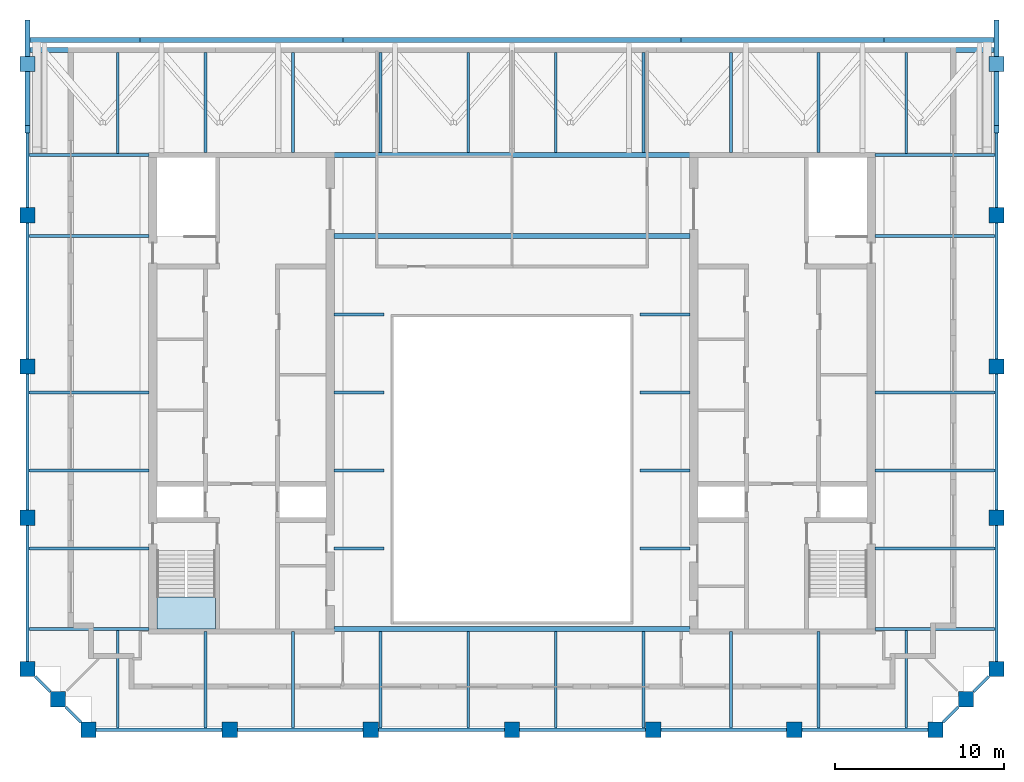
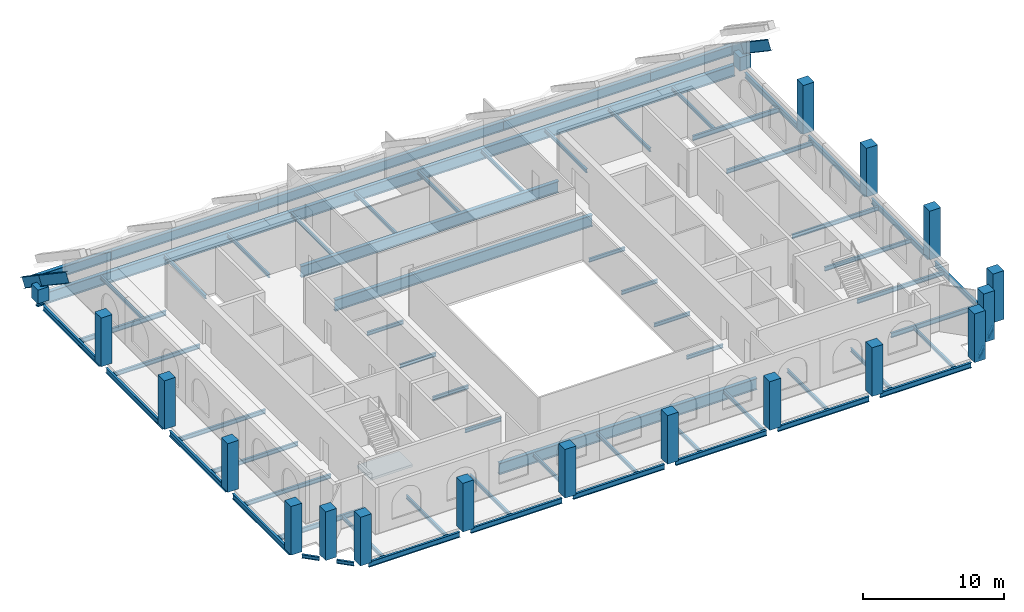
# One storey, part 1 of 7: 71 beams, 19 columns, 1 slab, 1 element without a shape of its own.
"""IFC4 building model written with IfcOpenShell, lengths in metres."""

from ifc_helpers import new_model, si_unit, direction, frame, origin, origin_2d, place, context, subcontext, project, spatial, polyline, rectangle, i_section, outline, extrude, material, layer, layer_set, material_profile, profile_set, type_object, element, aggregate, save


model = new_model("IFC4")

# Units and contexts
model_context = context("Model", 3, precision=1e-05, world=origin(), true_north=direction((0.0, 1.0)))
body_context = subcontext(model_context, "Body", "Model", "MODEL_VIEW")
ifc_project = project(units=[si_unit("LENGTHUNIT", "METRE"), si_unit("AREAUNIT", "SQUARE_METRE"), si_unit("VOLUMEUNIT", "CUBIC_METRE"), si_unit("PLANEANGLEUNIT", "RADIAN"), si_unit("MASSUNIT", "GRAM", prefix="KILO")], contexts=[model_context])

# Site, building, storey
site_placement = place(None, origin())
site = spatial("IfcSite", under=ifc_project, at=site_placement, CompositionType="ELEMENT")
building_placement = place(site_placement, origin())
building = spatial("IfcBuilding", under=site, at=building_placement, Name="Ogive Exchange Tower", CompositionType="ELEMENT")
storey_placement = place(building_placement, frame((0.0, 0.0, 385.800048828125)))
storey = spatial("IfcBuildingStorey", under=building, at=storey_placement, Name="C05", CompositionType="ELEMENT", Elevation=385.800048828125)

# Columns
ifc_material_1 = material(Name="Precast concrete C70/85 (limestone faced)", Category="masonry")
ifc_material_profile_1 = material_profile(ifc_material_1, rectangle(XDim=0.89990234375, YDim=0.89990234375, at=origin_2d()), Name="900 x 900")
ifc_profile_set_1 = profile_set([ifc_material_profile_1], Name="Precast concrete C70/85 (limestone faced)")
column_type = type_object("IfcColumnType", Name="Precast exoskeleton leg 900 x 900 C70/85", PredefinedType="COLUMN", material=ifc_profile_set_1)
for number, where, z_axis, x_axis, name in (
    (1, (-25.050048828125, -8.39990234375, 0.0), (0.0, 0.0, 1.0), (1.0, 0.0, 0.0), "Crown leg 1"),
    (2, (-16.699951171875, -8.39990234375, 0.0), (0.0, 0.0, 1.0), (1.0, 0.0, 0.0), "Crown leg 2"),
    (3, (-8.35009765625, -8.39990234375, 0.0), (0.0, 0.0, 1.0), (1.0, 0.0, 0.0), "Crown leg 3"),
    (4, (0.0, -8.39990234375, 0.0), (0.0, 0.0, 1.0), (1.0, 0.0, 0.0), "Crown leg 4"),
    (5, (8.35009765625, -8.39990234375, 0.0), (0.0, 0.0, 1.0), (1.0, 0.0, 0.0), "Crown leg 5"),
    (6, (16.699951171875, -8.39990234375, 0.0), (0.0, 0.0, 1.0), (1.0, 0.0, 0.0), "Crown leg 6"),
    (7, (25.050048828125, -8.39990234375, 0.0), (0.0, 0.0, 1.0), (1.0, 0.0, 0.0), "Crown leg 7"),
    (8, (28.64990234375, -4.800048828125, 0.0), (0.0, 0.0, 1.0), (1.0, 0.0, 0.0), "Crown leg 8"),
    (9, (28.64990234375, 4.142822265625, 0.0), (0.0, 0.0, 1.0), (1.0, 0.0, 0.0), "Crown leg 9"),
    (10, (28.64990234375, 13.085693359375, 0.0), (0.0, 0.0, 1.0), (1.0, 0.0, 0.0), "Crown leg 10"),
    (11, (28.64990234375, 22.028564453125, 0.0), (0.0, 0.0, 1.0), (1.0, 0.0, 0.0), "Crown leg 11"),
):
    element("IfcColumn", number, at=place(storey_placement, frame(where, z_axis=z_axis, x_axis=x_axis)), inside=storey, type_object=column_type, Name=name, PredefinedType="COLUMN", context=body_context, shape_type="SweptSolid", body=[
        extrude(rectangle(XDim=0.89990234375, YDim=0.89990234375, at=origin_2d()), origin(), (0.0, 0.0, 1.0), 4.199951171875),
    ])
for number, where, z_axis, x_axis, name in (
    (12, (28.64990234375, 30.971435546875, 0.0), (0.0, 0.0, 1.0), (1.0, 0.0, 0.0), "Crown leg 12"),
    (13, (-28.64990234375, 30.971435546875, 0.0), (0.0, 0.0, 1.0), (1.0, 0.0, 0.0), "Crown leg 26"),
):
    element("IfcColumn", number, at=place(storey_placement, frame(where, z_axis=z_axis, x_axis=x_axis)), inside=storey, type_object=column_type, Name=name, PredefinedType="COLUMN", context=body_context, shape_type="SweptSolid", body=[
        extrude(rectangle(XDim=0.89990234375, YDim=0.89990234375, at=origin_2d()), origin(), (0.0, 0.0, 1.0), 1.182861328125),
    ])
for number, where, z_axis, x_axis, name in (
    (14, (-28.64990234375, 22.028564453125, 0.0), (0.0, 0.0, 1.0), (1.0, 0.0, 0.0), "Crown leg 27"),
    (15, (-28.64990234375, 13.085693359375, 0.0), (0.0, 0.0, 1.0), (1.0, 0.0, 0.0), "Crown leg 28"),
    (16, (-28.64990234375, 4.142822265625, 0.0), (0.0, 0.0, 1.0), (1.0, 0.0, 0.0), "Crown leg 29"),
    (17, (-28.64990234375, -4.800048828125, 0.0), (0.0, 0.0, 1.0), (1.0, 0.0, 0.0), "Crown leg 30"),
    (18, (26.85009765625, -6.60009765625, 0.0), (0.0, 0.0, 1.0), (1.0, 0.0, 0.0), "Crown leg 31"),
    (19, (-26.85009765625, -6.60009765625, 0.0), (0.0, 0.0, 1.0), (1.0, 0.0, 0.0), "Crown leg 34"),
):
    element("IfcColumn", number, at=place(storey_placement, frame(where, z_axis=z_axis, x_axis=x_axis)), inside=storey, type_object=column_type, Name=name, PredefinedType="COLUMN", context=body_context, shape_type="SweptSolid", body=[
        extrude(rectangle(XDim=0.89990234375, YDim=0.89990234375, at=origin_2d()), origin(), (0.0, 0.0, 1.0), 4.199951171875),
    ])

# Beams
ifc_material_2 = material(Name="Steel ASTM A992 Gr50", Category="steel")
ifc_material_profile_2 = material_profile(ifc_material_2, i_section(OverallWidth=0.2919921875, OverallDepth=0.8359375, WebThickness=0.013916015625, FlangeThickness=0.018798828125, at=origin_2d()), Name="W840x176")
ifc_profile_set_2 = profile_set([ifc_material_profile_2], Name="Steel ASTM A992 Gr50")
beam_type_1 = type_object("IfcBeamType", Name="Crown purlin W840x176", PredefinedType="BEAM", material=ifc_profile_set_2)
beam_1_placement = place(storey_placement, frame((-28.64990234375, 32.39990234375, 0.636962890625), z_axis=(1.0, 0.0, 0.0), x_axis=(0.0, 1.0, 0.0)))
element("IfcBeam", 20, at=beam_1_placement, inside=storey, type_object=beam_type_1, Name="Crown purlin", PredefinedType="BEAM", context=body_context, shape_type="SweptSolid", body=[
    extrude(i_section(OverallWidth=0.2919921875, OverallDepth=0.8359375, WebThickness=0.013916015625, FlangeThickness=0.018798828125, at=origin_2d()), origin(), (0.0, 0.0, 1.0), 6.64990234375),
])
beam_2_placement = place(storey_placement, frame((-22.0, 32.39990234375, 0.636962890625), z_axis=(1.0, 0.0, 0.0), x_axis=(0.0, 1.0, 0.0)))
element("IfcBeam", 21, at=beam_2_placement, inside=storey, type_object=beam_type_1, Name="Crown purlin", PredefinedType="BEAM", context=body_context, shape_type="SweptSolid", body=[
    extrude(i_section(OverallWidth=0.2919921875, OverallDepth=0.8359375, WebThickness=0.013916015625, FlangeThickness=0.018798828125, at=origin_2d()), origin(), (0.0, 0.0, 1.0), 12.0),
])
beam_3_placement = place(storey_placement, frame((-10.0, 32.39990234375, 0.636962890625), z_axis=(1.0, 0.0, 0.0), x_axis=(0.0, 1.0, 0.0)))
element("IfcBeam", 22, at=beam_3_placement, inside=storey, type_object=beam_type_1, Name="Crown purlin", PredefinedType="BEAM", context=body_context, shape_type="SweptSolid", body=[
    extrude(i_section(OverallWidth=0.2919921875, OverallDepth=0.8359375, WebThickness=0.013916015625, FlangeThickness=0.018798828125, at=origin_2d()), origin(), (0.0, 0.0, 1.0), 20.0),
])
beam_4_placement = place(storey_placement, frame((10.0, 32.39990234375, 0.636962890625), z_axis=(1.0, 0.0, 0.0), x_axis=(0.0, 1.0, 0.0)))
element("IfcBeam", 23, at=beam_4_placement, inside=storey, type_object=beam_type_1, Name="Crown purlin", PredefinedType="BEAM", context=body_context, shape_type="SweptSolid", body=[
    extrude(i_section(OverallWidth=0.2919921875, OverallDepth=0.8359375, WebThickness=0.013916015625, FlangeThickness=0.018798828125, at=origin_2d()), origin(), (0.0, 0.0, 1.0), 12.0),
])
beam_5_placement = place(storey_placement, frame((22.0, 32.39990234375, 0.636962890625), z_axis=(1.0, 0.0, 0.0), x_axis=(0.0, 1.0, 0.0)))
element("IfcBeam", 24, at=beam_5_placement, inside=storey, type_object=beam_type_1, Name="Crown purlin", PredefinedType="BEAM", context=body_context, shape_type="SweptSolid", body=[
    extrude(i_section(OverallWidth=0.2919921875, OverallDepth=0.8359375, WebThickness=0.013916015625, FlangeThickness=0.018798828125, at=origin_2d()), origin(), (0.0, 0.0, 1.0), 6.64990234375),
])
ifc_material_profile_3 = material_profile(ifc_material_2, i_section(OverallWidth=0.2919921875, OverallDepth=0.8359375, WebThickness=0.013916015625, FlangeThickness=0.018798828125, at=origin_2d()), Name="W840x176")
ifc_profile_set_3 = profile_set([ifc_material_profile_3], Name="Steel ASTM A992 Gr50")
beam_type_2 = type_object("IfcBeamType", Name="Crown raking ring beam W840x176", PredefinedType="BEAM", material=ifc_profile_set_3)
beam_6_placement = place(storey_placement, frame((28.64990234375, 27.1181640625, 4.199951171875), z_axis=(0.0, 0.829031921155, -0.559201281925), x_axis=(-1.0, 0.0, 0.0)))
element("IfcBeam", 25, at=beam_6_placement, inside=storey, type_object=beam_type_2, Name="Crown ring beam 12", PredefinedType="BEAM", context=body_context, shape_type="SweptSolid", body=[
    extrude(i_section(OverallWidth=0.2919921875, OverallDepth=0.8359375, WebThickness=0.013916015625, FlangeThickness=0.018798828125, at=origin_2d()), origin(), (0.0, 0.0, 1.0), 4.64794921875),
])
for number, where, z_axis, x_axis, name in (
    (26, (28.64990234375, 30.971435546875, 1.600830078125), (0.0, 0.829060177216, -0.559159389221), (-1.0, 0.0, 0.0), "Crown ring beam 13"),
    (27, (-28.64990234375, 33.344970703125, 0.0), (0.0, -0.829060177216, 0.559159389221), (1.0, 0.0, 0.0), "Crown ring beam 28"),
):
    element("IfcBeam", number, at=place(storey_placement, frame(where, z_axis=z_axis, x_axis=x_axis)), inside=storey, type_object=beam_type_2, Name=name, PredefinedType="BEAM", context=body_context, shape_type="SweptSolid", body=[
        extrude(i_section(OverallWidth=0.2919921875, OverallDepth=0.8359375, WebThickness=0.013916015625, FlangeThickness=0.018798828125, at=origin_2d()), origin(), (0.0, 0.0, 1.0), 2.863037109375),
    ])
beam_7_placement = place(storey_placement, frame((-28.64990234375, 30.971435546875, 1.600830078125), z_axis=(0.0, -0.829031921155, 0.559201281925), x_axis=(1.0, 0.0, 0.0)))
element("IfcBeam", 28, at=beam_7_placement, inside=storey, type_object=beam_type_2, Name="Crown ring beam 29", PredefinedType="BEAM", context=body_context, shape_type="SweptSolid", body=[
    extrude(i_section(OverallWidth=0.2919921875, OverallDepth=0.8359375, WebThickness=0.013916015625, FlangeThickness=0.018798828125, at=origin_2d()), origin(), (0.0, 0.0, 1.0), 4.64794921875),
])
ifc_material_profile_4 = material_profile(ifc_material_2, i_section(OverallWidth=0.300048828125, OverallDepth=0.97998046875, WebThickness=0.0166015625, FlangeThickness=0.026123046875, at=origin_2d()), Name="W1000x249")
ifc_profile_set_4 = profile_set([ifc_material_profile_4], Name="Steel ASTM A992 Gr50")
beam_type_3 = type_object("IfcBeamType", Name="Floor beam W1000x249", PredefinedType="JOIST", material=ifc_profile_set_4)
beam_8_placement = place(storey_placement, frame((-10.52001953125, 20.797607421875, -0.68994140625), z_axis=(1.0, 0.0, 0.0), x_axis=(0.0, 1.0, 0.0)))
element("IfcBeam", 29, at=beam_8_placement, inside=storey, type_object=beam_type_3, Name="Floor beam", PredefinedType="JOIST", context=body_context, shape_type="SweptSolid", body=[
    extrude(i_section(OverallWidth=0.300048828125, OverallDepth=0.97998046875, WebThickness=0.0166015625, FlangeThickness=0.026123046875, at=origin_2d()), origin(), (0.0, 0.0, 1.0), 21.0400390625),
])
ifc_material_profile_5 = material_profile(ifc_material_2, i_section(OverallWidth=0.1650390625, OverallDepth=0.31005859375, WebThickness=0.005859375, FlangeThickness=0.009765625, at=origin_2d()), Name="W310x38.7")
ifc_profile_set_5 = profile_set([ifc_material_profile_5], Name="Steel ASTM A992 Gr50")
beam_type_4 = type_object("IfcBeamType", Name="Floor beam W310x38.7", PredefinedType="JOIST", material=ifc_profile_set_5)
for number, where, z_axis, x_axis, name in (
    (30, (-10.52001953125, 2.3212890625, -0.35498046875), (1.0, 0.0, 0.0), (0.0, 1.0, 0.0), "Floor beam"),
    (31, (7.570068359375, 2.3212890625, -0.35498046875), (1.0, 0.0, 0.0), (0.0, 1.0, 0.0), "Floor beam"),
    (32, (-10.52001953125, 6.9326171875, -0.35498046875), (1.0, 0.0, 0.0), (0.0, 1.0, 0.0), "Floor beam"),
    (33, (7.570068359375, 6.9326171875, -0.35498046875), (1.0, 0.0, 0.0), (0.0, 1.0, 0.0), "Floor beam"),
    (34, (-10.52001953125, 11.543701171875, -0.35498046875), (1.0, 0.0, 0.0), (0.0, 1.0, 0.0), "Floor beam"),
    (35, (7.570068359375, 11.543701171875, -0.35498046875), (1.0, 0.0, 0.0), (0.0, 1.0, 0.0), "Floor beam"),
):
    element("IfcBeam", number, at=place(storey_placement, frame(where, z_axis=z_axis, x_axis=x_axis)), inside=storey, type_object=beam_type_4, Name=name, PredefinedType="JOIST", context=body_context, shape_type="SweptSolid", body=[
        extrude(i_section(OverallWidth=0.1650390625, OverallDepth=0.31005859375, WebThickness=0.005859375, FlangeThickness=0.009765625, at=origin_2d()), origin(), (0.0, 0.0, 1.0), 2.949951171875),
    ])
beam_9_placement = place(storey_placement, frame((-23.314208984375, -8.304443359375, -0.35498046875), z_axis=(0.0, 1.0, 0.0), x_axis=(-1.0, 0.0, 0.0)))
element("IfcBeam", 36, at=beam_9_placement, inside=storey, type_object=beam_type_4, Name="Floor beam", PredefinedType="JOIST", context=body_context, shape_type="SweptSolid", body=[
    extrude(i_section(OverallWidth=0.1650390625, OverallDepth=0.31005859375, WebThickness=0.005859375, FlangeThickness=0.009765625, at=origin_2d()), origin(), (0.0, 0.0, 1.0), 5.7705078125),
])
for number, where, z_axis, x_axis, name in (
    (37, (-18.13330078125, -8.304443359375, -0.35498046875), (0.0, 1.0, 0.0), (-1.0, 0.0, 0.0), "Floor beam"),
    (38, (-12.952392578125, -8.304443359375, -0.35498046875), (0.0, 1.0, 0.0), (-1.0, 0.0, 0.0), "Floor beam"),
):
    element("IfcBeam", number, at=place(storey_placement, frame(where, z_axis=z_axis, x_axis=x_axis)), inside=storey, type_object=beam_type_4, Name=name, PredefinedType="JOIST", context=body_context, shape_type="SweptSolid", body=[
        extrude(i_section(OverallWidth=0.1650390625, OverallDepth=0.31005859375, WebThickness=0.005859375, FlangeThickness=0.009765625, at=origin_2d()), origin(), (0.0, 0.0, 1.0), 5.704345703125),
    ])
for number, where, z_axis, x_axis, name in (
    (39, (-7.771484375, -8.304443359375, -0.35498046875), (0.0, 1.0, 0.0), (-1.0, 0.0, 0.0), "Floor beam"),
    (40, (-2.590576171875, -8.304443359375, -0.35498046875), (0.0, 1.0, 0.0), (-1.0, 0.0, 0.0), "Floor beam"),
    (41, (2.590576171875, -8.304443359375, -0.35498046875), (0.0, 1.0, 0.0), (-1.0, 0.0, 0.0), "Floor beam"),
    (42, (7.771484375, -8.304443359375, -0.35498046875), (0.0, 1.0, 0.0), (-1.0, 0.0, 0.0), "Floor beam"),
):
    element("IfcBeam", number, at=place(storey_placement, frame(where, z_axis=z_axis, x_axis=x_axis)), inside=storey, type_object=beam_type_4, Name=name, PredefinedType="JOIST", context=body_context, shape_type="SweptSolid", body=[
        extrude(i_section(OverallWidth=0.1650390625, OverallDepth=0.31005859375, WebThickness=0.005859375, FlangeThickness=0.009765625, at=origin_2d()), origin(), (0.0, 0.0, 1.0), 5.70947265625),
    ])
for number, where, z_axis, x_axis, name in (
    (43, (12.952392578125, -8.304443359375, -0.35498046875), (0.0, 1.0, 0.0), (-1.0, 0.0, 0.0), "Floor beam"),
    (44, (18.13330078125, -8.304443359375, -0.35498046875), (0.0, 1.0, 0.0), (-1.0, 0.0, 0.0), "Floor beam"),
):
    element("IfcBeam", number, at=place(storey_placement, frame(where, z_axis=z_axis, x_axis=x_axis)), inside=storey, type_object=beam_type_4, Name=name, PredefinedType="JOIST", context=body_context, shape_type="SweptSolid", body=[
        extrude(i_section(OverallWidth=0.1650390625, OverallDepth=0.31005859375, WebThickness=0.005859375, FlangeThickness=0.009765625, at=origin_2d()), origin(), (0.0, 0.0, 1.0), 5.704345703125),
    ])
beam_10_placement = place(storey_placement, frame((23.314208984375, -8.304443359375, -0.35498046875), z_axis=(0.0, 1.0, 0.0), x_axis=(-1.0, 0.0, 0.0)))
element("IfcBeam", 45, at=beam_10_placement, inside=storey, type_object=beam_type_4, Name="Floor beam", PredefinedType="JOIST", context=body_context, shape_type="SweptSolid", body=[
    extrude(i_section(OverallWidth=0.1650390625, OverallDepth=0.31005859375, WebThickness=0.005859375, FlangeThickness=0.009765625, at=origin_2d()), origin(), (0.0, 0.0, 1.0), 5.7705078125),
])
beam_11_placement = place(storey_placement, frame((-23.314208984375, 25.68408203125, -0.35498046875), z_axis=(0.0, 1.0, 0.0), x_axis=(-1.0, 0.0, 0.0)))
element("IfcBeam", 46, at=beam_11_placement, inside=storey, type_object=beam_type_4, Name="Floor beam", PredefinedType="JOIST", context=body_context, shape_type="SweptSolid", body=[
    extrude(i_section(OverallWidth=0.1650390625, OverallDepth=0.31005859375, WebThickness=0.005859375, FlangeThickness=0.009765625, at=origin_2d()), origin(), (0.0, 0.0, 1.0), 5.95849609375),
])
for number, where, z_axis, x_axis, name in (
    (47, (-18.13330078125, 25.75, -0.35498046875), (0.0, 1.0, 0.0), (-1.0, 0.0, 0.0), "Floor beam"),
    (48, (-12.952392578125, 25.75, -0.35498046875), (0.0, 1.0, 0.0), (-1.0, 0.0, 0.0), "Floor beam"),
):
    element("IfcBeam", number, at=place(storey_placement, frame(where, z_axis=z_axis, x_axis=x_axis)), inside=storey, type_object=beam_type_4, Name=name, PredefinedType="JOIST", context=body_context, shape_type="SweptSolid", body=[
        extrude(i_section(OverallWidth=0.1650390625, OverallDepth=0.31005859375, WebThickness=0.005859375, FlangeThickness=0.009765625, at=origin_2d()), origin(), (0.0, 0.0, 1.0), 5.892578125),
    ])
for number, where, z_axis, x_axis, name in (
    (49, (-7.771484375, 25.7451171875, -0.35498046875), (0.0, 1.0, 0.0), (-1.0, 0.0, 0.0), "Floor beam"),
    (50, (-2.590576171875, 25.7451171875, -0.35498046875), (0.0, 1.0, 0.0), (-1.0, 0.0, 0.0), "Floor beam"),
    (51, (2.590576171875, 25.7451171875, -0.35498046875), (0.0, 1.0, 0.0), (-1.0, 0.0, 0.0), "Floor beam"),
    (52, (7.771484375, 25.7451171875, -0.35498046875), (0.0, 1.0, 0.0), (-1.0, 0.0, 0.0), "Floor beam"),
):
    element("IfcBeam", number, at=place(storey_placement, frame(where, z_axis=z_axis, x_axis=x_axis)), inside=storey, type_object=beam_type_4, Name=name, PredefinedType="JOIST", context=body_context, shape_type="SweptSolid", body=[
        extrude(i_section(OverallWidth=0.1650390625, OverallDepth=0.31005859375, WebThickness=0.005859375, FlangeThickness=0.009765625, at=origin_2d()), origin(), (0.0, 0.0, 1.0), 5.8974609375),
    ])
for number, where, z_axis, x_axis, name in (
    (53, (12.952392578125, 25.75, -0.35498046875), (0.0, 1.0, 0.0), (-1.0, 0.0, 0.0), "Floor beam"),
    (54, (18.13330078125, 25.75, -0.35498046875), (0.0, 1.0, 0.0), (-1.0, 0.0, 0.0), "Floor beam"),
):
    element("IfcBeam", number, at=place(storey_placement, frame(where, z_axis=z_axis, x_axis=x_axis)), inside=storey, type_object=beam_type_4, Name=name, PredefinedType="JOIST", context=body_context, shape_type="SweptSolid", body=[
        extrude(i_section(OverallWidth=0.1650390625, OverallDepth=0.31005859375, WebThickness=0.005859375, FlangeThickness=0.009765625, at=origin_2d()), origin(), (0.0, 0.0, 1.0), 5.892578125),
    ])
beam_12_placement = place(storey_placement, frame((23.314208984375, 25.68408203125, -0.35498046875), z_axis=(0.0, 1.0, 0.0), x_axis=(-1.0, 0.0, 0.0)))
element("IfcBeam", 55, at=beam_12_placement, inside=storey, type_object=beam_type_4, Name="Floor beam", PredefinedType="JOIST", context=body_context, shape_type="SweptSolid", body=[
    extrude(i_section(OverallWidth=0.1650390625, OverallDepth=0.31005859375, WebThickness=0.005859375, FlangeThickness=0.009765625, at=origin_2d()), origin(), (0.0, 0.0, 1.0), 5.95849609375),
])
ifc_material_profile_6 = material_profile(ifc_material_2, i_section(OverallWidth=0.1708984375, OverallDepth=0.35595703125, WebThickness=0.00732421875, FlangeThickness=0.01171875, at=origin_2d()), Name="W360x51")
ifc_profile_set_6 = profile_set([ifc_material_profile_6], Name="Steel ASTM A992 Gr50")
beam_type_5 = type_object("IfcBeamType", Name="Floor beam W360x51", PredefinedType="JOIST", material=ifc_profile_set_6)
for number, where, z_axis, x_axis, name in (
    (56, (-28.554443359375, 2.3212890625, -0.3779296875), (1.0, 0.0, 0.0), (0.0, 1.0, 0.0), "Floor beam"),
    (57, (21.47998046875, 2.3212890625, -0.3779296875), (1.0, 0.0, 0.0), (0.0, 1.0, 0.0), "Floor beam"),
    (58, (-28.554443359375, 6.9326171875, -0.3779296875), (1.0, 0.0, 0.0), (0.0, 1.0, 0.0), "Floor beam"),
    (59, (21.47998046875, 6.9326171875, -0.3779296875), (1.0, 0.0, 0.0), (0.0, 1.0, 0.0), "Floor beam"),
    (60, (-28.554443359375, 11.543701171875, -0.3779296875), (1.0, 0.0, 0.0), (0.0, 1.0, 0.0), "Floor beam"),
    (61, (21.47998046875, 11.543701171875, -0.3779296875), (1.0, 0.0, 0.0), (0.0, 1.0, 0.0), "Floor beam"),
    (62, (-28.554443359375, 20.797607421875, -0.3779296875), (1.0, 0.0, 0.0), (0.0, 1.0, 0.0), "Floor beam"),
    (63, (21.47998046875, 20.797607421875, -0.3779296875), (1.0, 0.0, 0.0), (0.0, 1.0, 0.0), "Floor beam"),
):
    element("IfcBeam", number, at=place(storey_placement, frame(where, z_axis=z_axis, x_axis=x_axis)), inside=storey, type_object=beam_type_5, Name=name, PredefinedType="JOIST", context=body_context, shape_type="SweptSolid", body=[
        extrude(i_section(OverallWidth=0.1708984375, OverallDepth=0.35595703125, WebThickness=0.00732421875, FlangeThickness=0.01171875, at=origin_2d()), origin(), (0.0, 0.0, 1.0), 7.074462890625),
    ])
ifc_material_profile_7 = material_profile(ifc_material_2, i_section(OverallWidth=0.300048828125, OverallDepth=0.97998046875, WebThickness=0.0166015625, FlangeThickness=0.026123046875, at=origin_2d()), Name="W1000x249")
ifc_profile_set_7 = profile_set([ifc_material_profile_7], Name="Steel ASTM A992 Gr50")
beam_type_6 = type_object("IfcBeamType", Name="Girder W1000x249", PredefinedType="BEAM", material=ifc_profile_set_7)
beam_13_placement = place(storey_placement, frame((-28.4951171875, 31.79248046875, -0.68994140625), z_axis=(1.0, 0.0, 0.0), x_axis=(0.0, 1.0, 0.0)))
element("IfcBeam", 64, at=beam_13_placement, inside=storey, type_object=beam_type_6, Name="Trimmer girder", PredefinedType="BEAM", context=body_context, shape_type="SweptSolid", body=[
    extrude(i_section(OverallWidth=0.300048828125, OverallDepth=0.97998046875, WebThickness=0.0166015625, FlangeThickness=0.026123046875, at=origin_2d()), origin(), (0.0, 0.0, 1.0), 56.990234375),
])
for number, where, z_axis, x_axis, name in (
    (65, (-10.52001953125, -2.445068359375, -0.68994140625), (1.0, 0.0, 0.0), (0.0, 1.0, 0.0), "Header girder"),
    (66, (-10.52001953125, 25.594970703125, -0.68994140625), (1.0, 0.0, 0.0), (0.0, 1.0, 0.0), "Header girder"),
):
    element("IfcBeam", number, at=place(storey_placement, frame(where, z_axis=z_axis, x_axis=x_axis)), inside=storey, type_object=beam_type_6, Name=name, PredefinedType="BEAM", context=body_context, shape_type="SweptSolid", body=[
        extrude(i_section(OverallWidth=0.300048828125, OverallDepth=0.97998046875, WebThickness=0.0166015625, FlangeThickness=0.026123046875, at=origin_2d()), origin(), (0.0, 0.0, 1.0), 21.0400390625),
    ])
ifc_material_profile_8 = material_profile(ifc_material_2, i_section(OverallWidth=0.1650390625, OverallDepth=0.31005859375, WebThickness=0.005859375, FlangeThickness=0.009765625, at=origin_2d()), Name="W310x38.7")
ifc_profile_set_8 = profile_set([ifc_material_profile_8], Name="Steel ASTM A992 Gr50")
beam_type_7 = type_object("IfcBeamType", Name="Girder W310x38.7", PredefinedType="BEAM", material=ifc_profile_set_8)
for number, where, z_axis, x_axis, name in (
    (67, (-28.199951171875, -5.25, -0.35498046875), (0.707106781187, -0.707106781187, 0.0), (0.707106781187, 0.707106781187, 0.0), "Girder"),
    (68, (-26.39990234375, -7.050048828125, -0.35498046875), (0.707106781187, -0.707106781187, 0.0), (0.707106781187, 0.707106781187, 0.0), "Girder"),
    (69, (25.5, -7.949951171875, -0.35498046875), (0.707106781187, 0.707106781187, 0.0), (-0.707106781187, 0.707106781187, 0.0), "Girder"),
    (70, (27.300048828125, -6.14990234375, -0.35498046875), (0.707106781187, 0.707106781187, 0.0), (-0.707106781187, 0.707106781187, 0.0), "Girder"),
):
    element("IfcBeam", number, at=place(storey_placement, frame(where, z_axis=z_axis, x_axis=x_axis)), inside=storey, type_object=beam_type_7, Name=name, PredefinedType="BEAM", context=body_context, shape_type="SweptSolid", body=[
        extrude(i_section(OverallWidth=0.1650390625, OverallDepth=0.31005859375, WebThickness=0.005859375, FlangeThickness=0.009765625, at=origin_2d()), origin(), (0.0, 0.0, 1.0), 1.272705078125),
    ])
for number, where, z_axis, x_axis, name in (
    (71, (-10.52001953125, 16.155029296875, -0.35498046875), (1.0, 0.0, 0.0), (0.0, 1.0, 0.0), "Trimmer girder"),
    (72, (7.570068359375, 16.155029296875, -0.35498046875), (1.0, 0.0, 0.0), (0.0, 1.0, 0.0), "Trimmer girder"),
):
    element("IfcBeam", number, at=place(storey_placement, frame(where, z_axis=z_axis, x_axis=x_axis)), inside=storey, type_object=beam_type_7, Name=name, PredefinedType="BEAM", context=body_context, shape_type="SweptSolid", body=[
        extrude(i_section(OverallWidth=0.1650390625, OverallDepth=0.31005859375, WebThickness=0.005859375, FlangeThickness=0.009765625, at=origin_2d()), origin(), (0.0, 0.0, 1.0), 2.949951171875),
    ])
ifc_material_profile_9 = material_profile(ifc_material_2, i_section(OverallWidth=0.177978515625, OverallDepth=0.406005859375, WebThickness=0.0078125, FlangeThickness=0.0126953125, at=origin_2d()), Name="W410x60")
ifc_profile_set_9 = profile_set([ifc_material_profile_9], Name="Steel ASTM A992 Gr50")
beam_type_8 = type_object("IfcBeamType", Name="Girder W410x60", PredefinedType="BEAM", material=ifc_profile_set_9)
for number, where, z_axis, x_axis, name in (
    (73, (-28.554443359375, -2.445068359375, -0.403076171875), (1.0, 0.0, 0.0), (0.0, 1.0, 0.0), "Header girder"),
    (74, (21.47998046875, -2.445068359375, -0.403076171875), (1.0, 0.0, 0.0), (0.0, 1.0, 0.0), "Header girder"),
    (75, (-28.554443359375, 25.594970703125, -0.403076171875), (1.0, 0.0, 0.0), (0.0, 1.0, 0.0), "Header girder"),
    (76, (21.47998046875, 25.594970703125, -0.403076171875), (1.0, 0.0, 0.0), (0.0, 1.0, 0.0), "Header girder"),
):
    element("IfcBeam", number, at=place(storey_placement, frame(where, z_axis=z_axis, x_axis=x_axis)), inside=storey, type_object=beam_type_8, Name=name, PredefinedType="BEAM", context=body_context, shape_type="SweptSolid", body=[
        extrude(i_section(OverallWidth=0.177978515625, OverallDepth=0.406005859375, WebThickness=0.0078125, FlangeThickness=0.0126953125, at=origin_2d()), origin(), (0.0, 0.0, 1.0), 7.074462890625),
    ])
ifc_material_profile_10 = material_profile(ifc_material_2, i_section(OverallWidth=0.19091796875, OverallDepth=0.45703125, WebThickness=0.009033203125, FlangeThickness=0.014404296875, at=origin_2d()), Name="W460x74")
ifc_profile_set_10 = profile_set([ifc_material_profile_10], Name="Steel ASTM A992 Gr50")
beam_type_9 = type_object("IfcBeamType", Name="Girder W460x74", PredefinedType="BEAM", material=ifc_profile_set_10)
for number, where, z_axis, x_axis, name in (
    (77, (-28.64990234375, 30.521484375, -0.428466796875), (0.0, -1.0, 0.0), (1.0, 0.0, 0.0), "Girder"),
    (78, (-28.64990234375, 21.57861328125, -0.428466796875), (0.0, -1.0, 0.0), (1.0, 0.0, 0.0), "Girder"),
):
    element("IfcBeam", number, at=place(storey_placement, frame(where, z_axis=z_axis, x_axis=x_axis)), inside=storey, type_object=beam_type_9, Name=name, PredefinedType="BEAM", context=body_context, shape_type="SweptSolid", body=[
        extrude(i_section(OverallWidth=0.19091796875, OverallDepth=0.45703125, WebThickness=0.009033203125, FlangeThickness=0.014404296875, at=origin_2d()), origin(), (0.0, 0.0, 1.0), 8.04296875),
    ])
beam_14_placement = place(storey_placement, frame((-28.64990234375, 12.6357421875, -0.428466796875), z_axis=(0.0, -1.0, 0.0), x_axis=(1.0, 0.0, 0.0)))
element("IfcBeam", 79, at=beam_14_placement, inside=storey, type_object=beam_type_9, Name="Girder", PredefinedType="BEAM", context=body_context, shape_type="SweptSolid", body=[
    extrude(i_section(OverallWidth=0.19091796875, OverallDepth=0.45703125, WebThickness=0.009033203125, FlangeThickness=0.014404296875, at=origin_2d()), origin(), (0.0, 0.0, 1.0), 8.042724609375),
])
beam_15_placement = place(storey_placement, frame((-28.64990234375, 3.69287109375, -0.428466796875), z_axis=(0.0, -1.0, 0.0), x_axis=(1.0, 0.0, 0.0)))
element("IfcBeam", 80, at=beam_15_placement, inside=storey, type_object=beam_type_9, Name="Girder", PredefinedType="BEAM", context=body_context, shape_type="SweptSolid", body=[
    extrude(i_section(OverallWidth=0.19091796875, OverallDepth=0.45703125, WebThickness=0.009033203125, FlangeThickness=0.014404296875, at=origin_2d()), origin(), (0.0, 0.0, 1.0), 8.04296875),
])
beam_16_placement = place(storey_placement, frame((-24.60009765625, -8.39990234375, -0.428466796875), z_axis=(1.0, 0.0, 0.0), x_axis=(0.0, 1.0, 0.0)))
element("IfcBeam", 81, at=beam_16_placement, inside=storey, type_object=beam_type_9, Name="Girder", PredefinedType="BEAM", context=body_context, shape_type="SweptSolid", body=[
    extrude(i_section(OverallWidth=0.19091796875, OverallDepth=0.45703125, WebThickness=0.009033203125, FlangeThickness=0.014404296875, at=origin_2d()), origin(), (0.0, 0.0, 1.0), 7.4501953125),
])
for number, where, z_axis, x_axis, name in (
    (82, (-16.25, -8.39990234375, -0.428466796875), (1.0, 0.0, 0.0), (0.0, 1.0, 0.0), "Girder"),
    (83, (-7.89990234375, -8.39990234375, -0.428466796875), (1.0, 0.0, 0.0), (0.0, 1.0, 0.0), "Girder"),
    (84, (0.449951171875, -8.39990234375, -0.428466796875), (1.0, 0.0, 0.0), (0.0, 1.0, 0.0), "Girder"),
    (85, (8.800048828125, -8.39990234375, -0.428466796875), (1.0, 0.0, 0.0), (0.0, 1.0, 0.0), "Girder"),
):
    element("IfcBeam", number, at=place(storey_placement, frame(where, z_axis=z_axis, x_axis=x_axis)), inside=storey, type_object=beam_type_9, Name=name, PredefinedType="BEAM", context=body_context, shape_type="SweptSolid", body=[
        extrude(i_section(OverallWidth=0.19091796875, OverallDepth=0.45703125, WebThickness=0.009033203125, FlangeThickness=0.014404296875, at=origin_2d()), origin(), (0.0, 0.0, 1.0), 7.449951171875),
    ])
beam_17_placement = place(storey_placement, frame((17.14990234375, -8.39990234375, -0.428466796875), z_axis=(1.0, 0.0, 0.0), x_axis=(0.0, 1.0, 0.0)))
element("IfcBeam", 86, at=beam_17_placement, inside=storey, type_object=beam_type_9, Name="Girder", PredefinedType="BEAM", context=body_context, shape_type="SweptSolid", body=[
    extrude(i_section(OverallWidth=0.19091796875, OverallDepth=0.45703125, WebThickness=0.009033203125, FlangeThickness=0.014404296875, at=origin_2d()), origin(), (0.0, 0.0, 1.0), 7.4501953125),
])
beam_18_placement = place(storey_placement, frame((28.64990234375, -4.35009765625, -0.428466796875), z_axis=(0.0, 1.0, 0.0), x_axis=(-1.0, 0.0, 0.0)))
element("IfcBeam", 87, at=beam_18_placement, inside=storey, type_object=beam_type_9, Name="Girder", PredefinedType="BEAM", context=body_context, shape_type="SweptSolid", body=[
    extrude(i_section(OverallWidth=0.19091796875, OverallDepth=0.45703125, WebThickness=0.009033203125, FlangeThickness=0.014404296875, at=origin_2d()), origin(), (0.0, 0.0, 1.0), 8.04296875),
])
beam_19_placement = place(storey_placement, frame((28.64990234375, 4.593017578125, -0.428466796875), z_axis=(0.0, 1.0, 0.0), x_axis=(-1.0, 0.0, 0.0)))
element("IfcBeam", 88, at=beam_19_placement, inside=storey, type_object=beam_type_9, Name="Girder", PredefinedType="BEAM", context=body_context, shape_type="SweptSolid", body=[
    extrude(i_section(OverallWidth=0.19091796875, OverallDepth=0.45703125, WebThickness=0.009033203125, FlangeThickness=0.014404296875, at=origin_2d()), origin(), (0.0, 0.0, 1.0), 8.042724609375),
])
for number, where, z_axis, x_axis, name in (
    (89, (28.64990234375, 13.53564453125, -0.428466796875), (0.0, 1.0, 0.0), (-1.0, 0.0, 0.0), "Girder"),
    (90, (28.64990234375, 22.478515625, -0.428466796875), (0.0, 1.0, 0.0), (-1.0, 0.0, 0.0), "Girder"),
):
    element("IfcBeam", number, at=place(storey_placement, frame(where, z_axis=z_axis, x_axis=x_axis)), inside=storey, type_object=beam_type_9, Name=name, PredefinedType="BEAM", context=body_context, shape_type="SweptSolid", body=[
        extrude(i_section(OverallWidth=0.19091796875, OverallDepth=0.45703125, WebThickness=0.009033203125, FlangeThickness=0.014404296875, at=origin_2d()), origin(), (0.0, 0.0, 1.0), 8.04296875),
    ])

# Stair, slab
ifc_material_3 = material(Name="Concrete C40/50", Category="concrete")
stair_type = type_object("IfcStairType", Name="Exit stair 1650 wide", PredefinedType="HALF_TURN_STAIR", material=ifc_material_3)
stair_placement = place(storey_placement, origin())
stair = element("IfcStair", 91, at=stair_placement, inside=storey, type_object=stair_type, Name="C05 exit stair ST1", PredefinedType="HALF_TURN_STAIR")
ifc_layer = layer(ifc_material_3, 0.199951171875)
ifc_layer_set = layer_set([ifc_layer], Name="Stair landing 200 slab")
slab_type = type_object("IfcSlabType", Name="Stair landing 200 slab", PredefinedType="LANDING", material=ifc_layer_set)
slab_placement = place(storey_placement, frame((0.0, 0.0, 1.89990234375)))
slab = element("IfcSlab", 92, at=slab_placement, type_object=slab_type, Name="ST1 landing 1", PredefinedType="LANDING", context=body_context, shape_type="SweptSolid", body=[
    extrude(outline(polyline([(-21.0, -0.550048828125), (-21.0, -2.449951171875), (-17.550048828125, -2.449951171875), (-17.550048828125, -0.550048828125), (-21.0, -0.550048828125)])), origin(), (0.0, 0.0, 1.0), 0.199951171875),
])
aggregate(stair, [slab])

save(model, "model.ifc")
